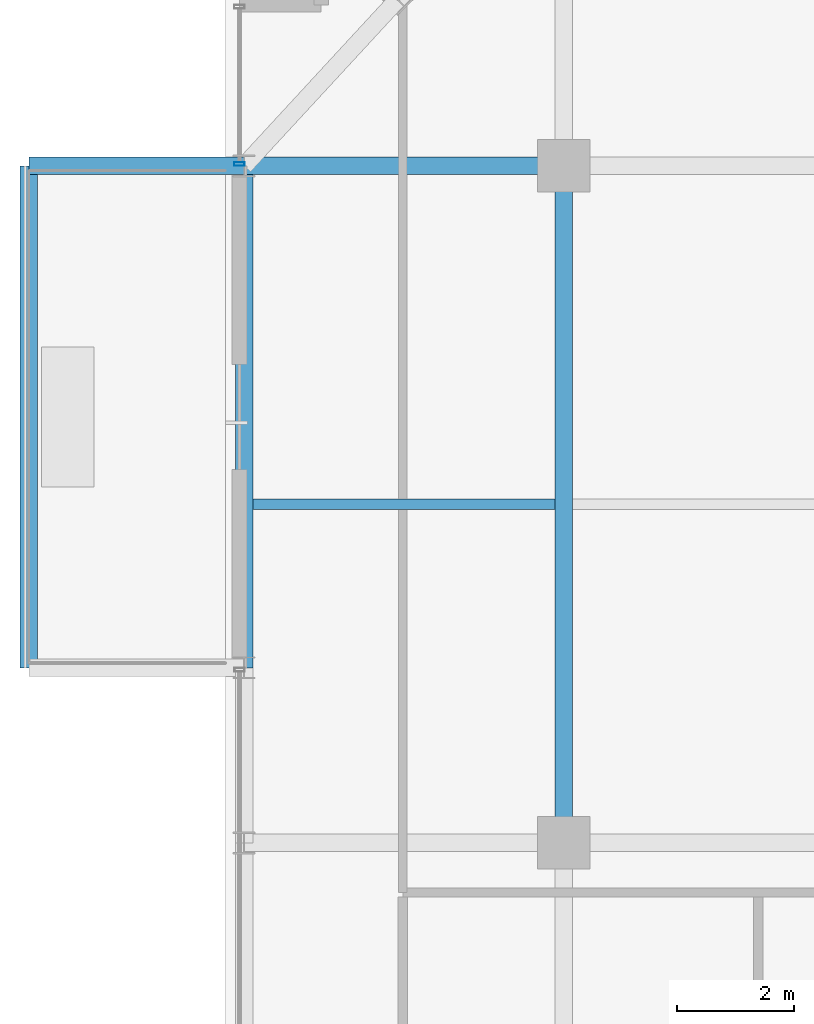
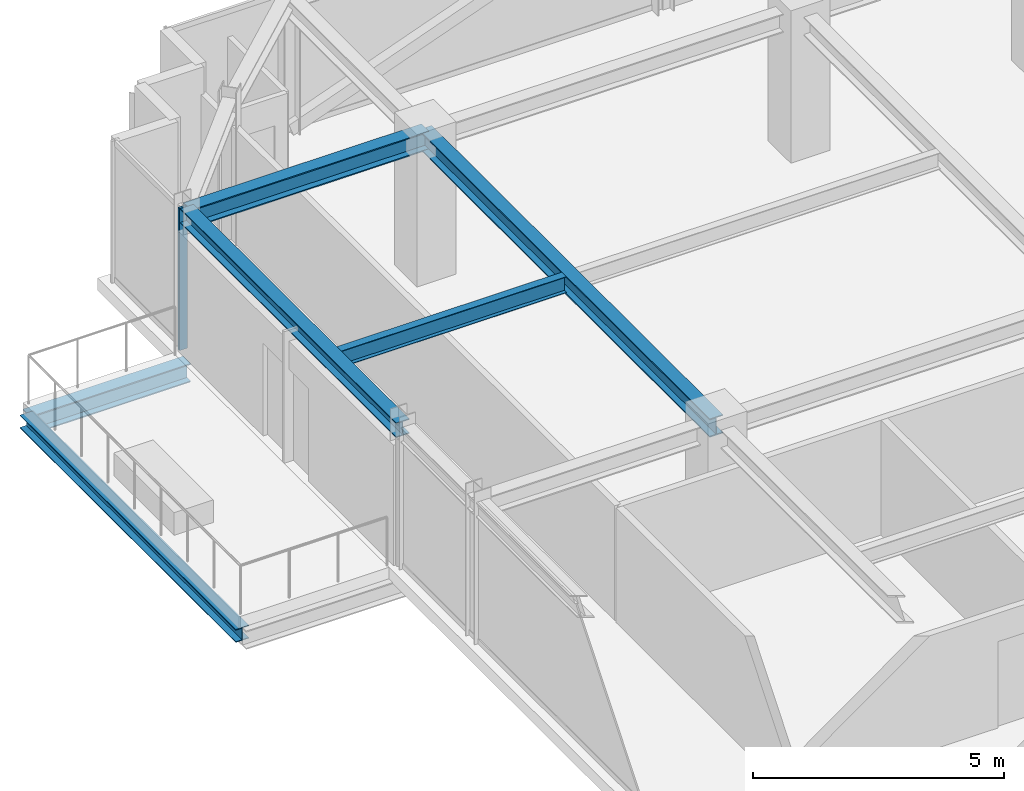
# One storey, part 17 of 36: 6 beams, 1 member, 1 element without a shape of its own.
"""IFC4 building model written with IfcOpenShell, lengths in metres."""

from ifc_helpers import new_model, si_unit, direction, frame, origin, origin_2d, place, context, subcontext, project, spatial, hollow_rectangle, i_section, extrude, source, transform, mapped, material, material_profile, profile_set, type_object, element, aggregate, save


model = new_model("IFC4")

# Units and contexts
model_context = context("Model", 3, precision=1e-05, world=origin(), true_north=direction((0.0, 1.0)))
body_context = subcontext(model_context, "Body", "Model", "MODEL_VIEW")
ifc_project = project(units=[si_unit("LENGTHUNIT", "METRE"), si_unit("AREAUNIT", "SQUARE_METRE"), si_unit("VOLUMEUNIT", "CUBIC_METRE"), si_unit("PLANEANGLEUNIT", "RADIAN"), si_unit("MASSUNIT", "GRAM", prefix="KILO")], contexts=[model_context])

# Site, building, storey
site_placement = place(None, origin())
site = spatial("IfcSite", under=ifc_project, at=site_placement, CompositionType="ELEMENT")
building_placement = place(site_placement, origin())
building = spatial("IfcBuilding", under=site, at=building_placement, Name="Nahalor Promenade Grand Hotel", CompositionType="ELEMENT")
storey_placement = place(building_placement, frame((0.0, 0.0, 273.800048828125)))
storey = spatial("IfcBuildingStorey", under=building, at=storey_placement, Name="L70", CompositionType="ELEMENT", Elevation=273.800048828125)

# Beams
ifc_material_1 = material(Name="Steel S355JR", Category="steel")
ifc_material_profile_1 = material_profile(ifc_material_1, i_section(OverallWidth=0.3, OverallDepth=0.32, WebThickness=0.0115, FlangeThickness=0.0205, at=origin_2d()), Name="HEB 320")
ifc_profile_set_1 = profile_set([ifc_material_profile_1], Name="Steel S355JR")
beam_type_1 = type_object("IfcBeamType", Name="Beam-BalcEdge-HEB320", PredefinedType="SPANDREL", material=ifc_profile_set_1)
shared_shape_1 = source(origin(), body_context, "Body", "SweptSolid", [
    extrude(i_section(OverallWidth=0.3, OverallDepth=0.32, WebThickness=0.0115, FlangeThickness=0.0205, at=origin_2d()), origin(), (0.0, 0.0, 1.0), 8.60009765625),
])
beam_1_placement = place(storey_placement, frame((-26.169921875, 8.39990234375, -0.43994140625), z_axis=(0.0, 1.0, 0.0), x_axis=(-1.0, 0.0, 0.0)))
element("IfcBeam", 1, at=beam_1_placement, inside=storey, type_object=beam_type_1, Name="BM-L70-BC-02-F", PredefinedType="SPANDREL", context=body_context, shape_type="MappedRepresentation", body=[
    mapped(shared_shape_1, transform((0.0, 0.0, 0.0), scale=1.0)),
])
ifc_material_profile_2 = material_profile(ifc_material_1, i_section(OverallWidth=0.3, OverallDepth=0.45, WebThickness=0.014, FlangeThickness=0.026, at=origin_2d()), Name="HEB 450")
ifc_profile_set_2 = profile_set([ifc_material_profile_2], Name="Steel S355JR")
beam_type_2 = type_object("IfcBeamType", Name="Beam-Outrigger-HEB450", PredefinedType="BEAM", material=ifc_profile_set_2)
shared_shape_2 = source(origin(), body_context, "Body", "SweptSolid", [
    extrude(i_section(OverallWidth=0.3, OverallDepth=0.45, WebThickness=0.014, FlangeThickness=0.026, at=origin_2d()), origin(), (0.0, 0.0, 1.0), 3.68994140625),
])
beam_2_placement = place(storey_placement, frame((-26.169921875, 17.0, -0.505126953125), z_axis=(1.0, 0.0, 0.0), x_axis=(0.0, 1.0, 0.0)))
element("IfcBeam", 2, at=beam_2_placement, inside=storey, type_object=beam_type_2, Name="BM-L70-BC-02-2", PredefinedType="BEAM", context=body_context, shape_type="MappedRepresentation", body=[
    mapped(shared_shape_2, transform((0.0, 0.0, 0.0), scale=1.0)),
])
ifc_material_profile_3 = material_profile(ifc_material_1, i_section(OverallWidth=0.3, OverallDepth=0.45, WebThickness=0.014, FlangeThickness=0.026, at=origin_2d()), Name="HEB 450")
ifc_profile_set_3 = profile_set([ifc_material_profile_3], Name="Steel S355JR")
beam_type_3 = type_object("IfcBeamType", Name="Beam-Girder-HEB450", PredefinedType="BEAM", material=ifc_profile_set_3)
shared_shape_3 = source(origin(), body_context, "Body", "SweptSolid", [
    extrude(i_section(OverallWidth=0.3, OverallDepth=0.45, WebThickness=0.014, FlangeThickness=0.026, at=origin_2d()), origin(), (0.0, 0.0, 1.0), 11.60009765625),
])
beam_3_placement = place(storey_placement, frame((-17.0, 5.39990234375, 3.224853515625), z_axis=(0.0, 1.0, 0.0), x_axis=(-1.0, 0.0, 0.0)))
element("IfcBeam", 3, at=beam_3_placement, inside=storey, type_object=beam_type_3, Name="BM-L70-GY-0-3", PredefinedType="BEAM", context=body_context, shape_type="MappedRepresentation", body=[
    mapped(shared_shape_3, transform((0.0, 0.0, 0.0), scale=1.0)),
])
shared_shape_4 = source(origin(), body_context, "Body", "SweptSolid", [
    extrude(i_section(OverallWidth=0.3, OverallDepth=0.45, WebThickness=0.014, FlangeThickness=0.026, at=origin_2d()), origin(), (0.0, 0.0, 1.0), 5.47998046875),
])
beam_4_placement = place(storey_placement, frame((-22.47998046875, 17.0, 3.224853515625), z_axis=(1.0, 0.0, 0.0), x_axis=(0.0, 1.0, 0.0)))
element("IfcBeam", 4, at=beam_4_placement, inside=storey, type_object=beam_type_3, Name="BM-L70-GX-3-0", PredefinedType="BEAM", context=body_context, shape_type="MappedRepresentation", body=[
    mapped(shared_shape_4, transform((0.0, 0.0, 0.0), scale=1.0)),
])
ifc_material_profile_4 = material_profile(ifc_material_1, i_section(OverallWidth=0.18, OverallDepth=0.4, WebThickness=0.0086, FlangeThickness=0.0135, at=origin_2d()), Name="IPE 400")
ifc_profile_set_4 = profile_set([ifc_material_profile_4], Name="Steel S355JR")
beam_type_4 = type_object("IfcBeamType", Name="Beam-Joist-IPE400", PredefinedType="JOIST", material=ifc_profile_set_4)
shared_shape_5 = source(origin(), body_context, "Body", "SweptSolid", [
    extrude(i_section(OverallWidth=0.18, OverallDepth=0.4, WebThickness=0.0086, FlangeThickness=0.0135, at=origin_2d()), origin(), (0.0, 0.0, 1.0), 5.18017578125),
])
beam_5_placement = place(storey_placement, frame((-22.330078125, 11.199951171875, 3.25), z_axis=(1.0, 0.0, 0.0), x_axis=(0.0, 1.0, 0.0)))
element("IfcBeam", 5, at=beam_5_placement, inside=storey, type_object=beam_type_4, Name="BM-L70-JSW-1-0", PredefinedType="JOIST", context=body_context, shape_type="MappedRepresentation", body=[
    mapped(shared_shape_5, transform((0.0, 0.0, 0.0), scale=1.0)),
])
ifc_material_profile_5 = material_profile(ifc_material_1, i_section(OverallWidth=0.3, OverallDepth=0.36, WebThickness=0.0125, FlangeThickness=0.0225, at=origin_2d()), Name="HEB 360")
ifc_profile_set_5 = profile_set([ifc_material_profile_5], Name="Steel S355JR")
beam_type_5 = type_object("IfcBeamType", Name="Beam-Spandrel-HEB360", PredefinedType="SPANDREL", material=ifc_profile_set_5)
shared_shape_6 = source(origin(), body_context, "Body", "SweptSolid", [
    extrude(i_section(OverallWidth=0.3, OverallDepth=0.36, WebThickness=0.0125, FlangeThickness=0.0225, at=origin_2d()), origin(), (0.0, 0.0, 1.0), 8.60009765625),
])
beam_6_placement = place(storey_placement, frame((-22.47998046875, 8.39990234375, 3.27001953125), z_axis=(0.0, 1.0, 0.0), x_axis=(-1.0, 0.0, 0.0)))
element("IfcBeam", 6, at=beam_6_placement, inside=storey, type_object=beam_type_5, Name="BM-L70-SP-W-4", PredefinedType="SPANDREL", context=body_context, shape_type="MappedRepresentation", body=[
    mapped(shared_shape_6, transform((0.0, 0.0, 0.0), scale=1.0)),
])

# Curtain wall, member
ifc_material_2 = material(Name="Anodised Bronze Aluminium EN AW-6063 T6", Category="aluminium")
curtain_wall_type = type_object("IfcCurtainWallType", Name="CW2 Typical Hotel Flush Bronze Unitised Curtain Wall", PredefinedType="USERDEFINED", material=ifc_material_2)
curtain_wall_placement = place(storey_placement, origin())
curtain_wall = element("IfcCurtainWall", 7, at=curtain_wall_placement, inside=storey, type_object=curtain_wall_type, Name="L70 Curtain Wall CW-L70-W-3", ObjectType="UNITISED_CURTAIN_WALL", PredefinedType="USERDEFINED")
ifc_material_profile_6 = material_profile(ifc_material_2, hollow_rectangle(XDim=0.065, YDim=0.18, WallThickness=0.004, at=origin_2d()), Name="CWM 65x180x4")
ifc_profile_set_6 = profile_set([ifc_material_profile_6], Name="Anodised Bronze Aluminium EN AW-6063 T6")
member_type = type_object("IfcMemberType", Name="CWM2 Typical Bronze Mullion 65x180", PredefinedType="MULLION", material=ifc_profile_set_6)
shared_shape_7 = source(origin(), body_context, "Body", "SweptSolid", [
    extrude(hollow_rectangle(XDim=0.065, YDim=0.18, WallThickness=0.004, at=origin_2d()), origin(), (0.0, 0.0, 1.0), 3.449951171875),
])
member_placement = place(storey_placement, frame((-22.56005859375, 17.032470703125, 0.0), z_axis=(0.0, 0.0, 1.0), x_axis=(0.0, 1.0, 0.0)))
member = element("IfcMember", 8, at=member_placement, type_object=member_type, Name="CW-L70-W-3 Mullion 0", PredefinedType="MULLION", context=body_context, shape_type="MappedRepresentation", body=[
    mapped(shared_shape_7, transform((0.0, 0.0, 0.0), scale=1.0)),
])
aggregate(curtain_wall, [member])

save(model, "model.ifc")
